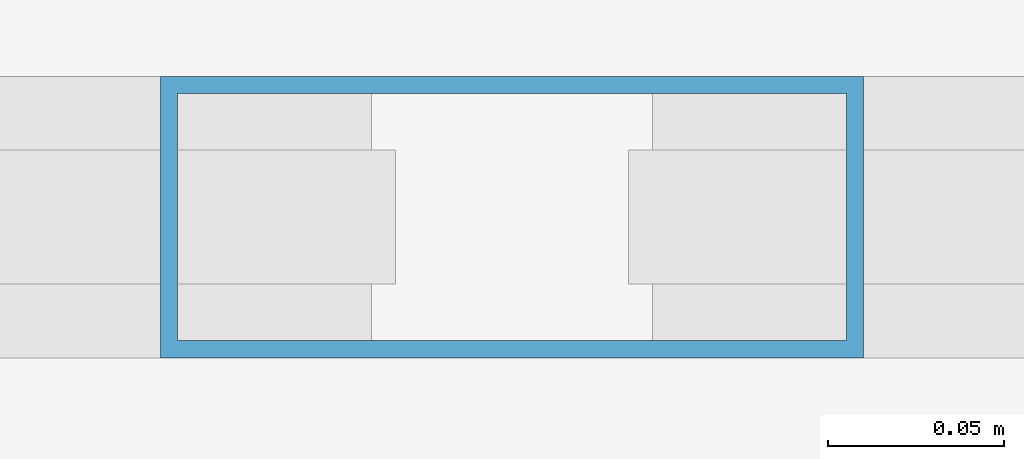
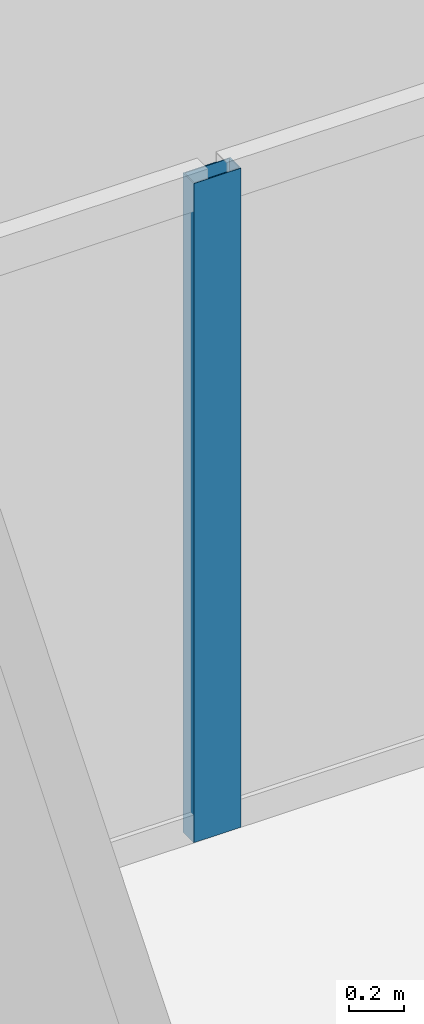
# One storey, part 12 of 21: 1 member, 1 element without a shape of its own.
"""IFC4 building model written with IfcOpenShell, lengths in metres."""

from ifc_helpers import new_model, si_unit, direction, frame, origin, origin_2d, place, context, subcontext, project, spatial, hollow_rectangle, extrude, source, transform, mapped, material, layer, layer_set, material_profile, profile_set, type_object, element, aggregate, save


model = new_model("IFC4")

# Units and contexts
model_context = context("Model", 3, precision=1e-05, world=origin(), true_north=direction((0.0, 1.0)))
body_context = subcontext(model_context, "Body", "Model", "MODEL_VIEW")
ifc_project = project(units=[si_unit("LENGTHUNIT", "METRE"), si_unit("AREAUNIT", "SQUARE_METRE"), si_unit("VOLUMEUNIT", "CUBIC_METRE"), si_unit("PLANEANGLEUNIT", "RADIAN"), si_unit("MASSUNIT", "GRAM", prefix="KILO")], contexts=[model_context])

# Site, building, storey
site_placement = place(None, origin())
site = spatial("IfcSite", under=ifc_project, at=site_placement, CompositionType="ELEMENT")
building_placement = place(site_placement, origin())
building = spatial("IfcBuilding", under=site, at=building_placement, Name="Kolveth Station Tower", CompositionType="ELEMENT")
storey_placement = place(building_placement, frame((0.0, 0.0, 105.5)))
storey = spatial("IfcBuildingStorey", under=building, at=storey_placement, Name="L28", CompositionType="ELEMENT", Elevation=105.5)

# Curtain wall, member
ifc_material_1 = material(Name="Aluminium 6063-T6 and low-E dark glass", Category="aluminium")
ifc_layer = layer(ifc_material_1, 0.18994140625)
ifc_layer_set = layer_set([ifc_layer], Name="Aluminium 6063-T6 and low-E dark glass")
curtain_wall_type = type_object("IfcCurtainWallType", Name="CurtainWall_CW-Z2", PredefinedType="NOTDEFINED", material=ifc_layer_set)
curtain_wall_placement = place(storey_placement, origin())
curtain_wall = element("IfcCurtainWall", 1, at=curtain_wall_placement, inside=storey, type_object=curtain_wall_type, Name="L28 Inner Thermal Curtain Wall 6", PredefinedType="NOTDEFINED")
ifc_material_2 = material(Name="Black anodized aluminium 6063-T6", Category="aluminium")
ifc_material_profile = material_profile(ifc_material_2, hollow_rectangle(XDim=0.080078125, YDim=0.199951171875, WallThickness=0.0048828125, at=origin_2d()), Name="ALU-80x200x5")
ifc_profile_set = profile_set([ifc_material_profile], Name="Black anodized aluminium 6063-T6")
member_type = type_object("IfcMemberType", Name="Mullion_ML2", PredefinedType="MULLION", material=ifc_profile_set)
shared_shape = source(origin(), body_context, "Body", "SweptSolid", [
    extrude(hollow_rectangle(XDim=0.080078125, YDim=0.199951171875, WallThickness=0.0048828125, at=origin_2d()), origin(), (0.0, 0.0, 1.0), 2.949951171875),
])
member_placement = place(storey_placement, frame((23.5, 35.179931640625, 0.0), z_axis=(0.0, 0.0, 1.0), x_axis=(0.0, -1.0, 0.0)))
member = element("IfcMember", 2, at=member_placement, type_object=member_type, Name="CW-Z2 mullion 2", PredefinedType="MULLION", context=body_context, shape_type="MappedRepresentation", body=[
    mapped(shared_shape, transform((0.0, 0.0, 0.0), x_axis=(1.0, 0.0, 0.0), y_axis=(0.0, 1.0, 0.0), z_axis=(0.0, 0.0, 1.0), scale=1.0)),
])
aggregate(curtain_wall, [member])

save(model, "model.ifc")
